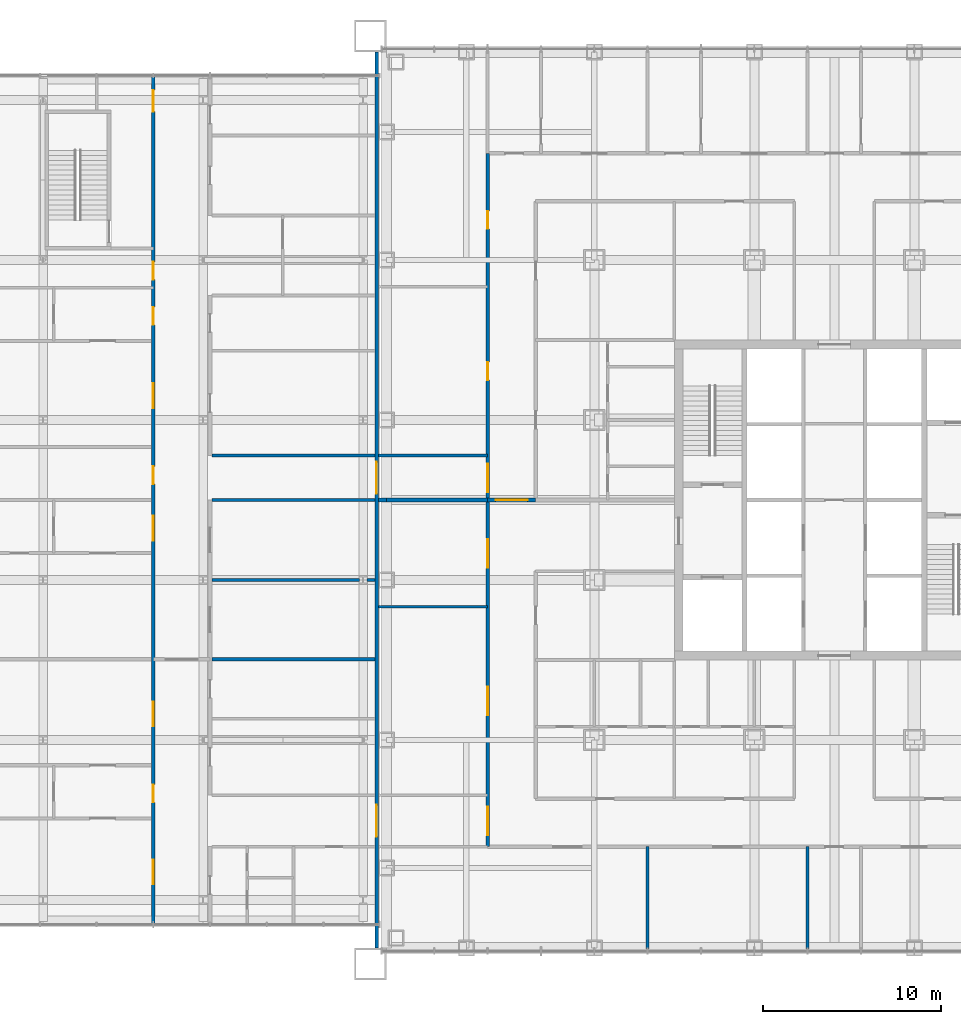
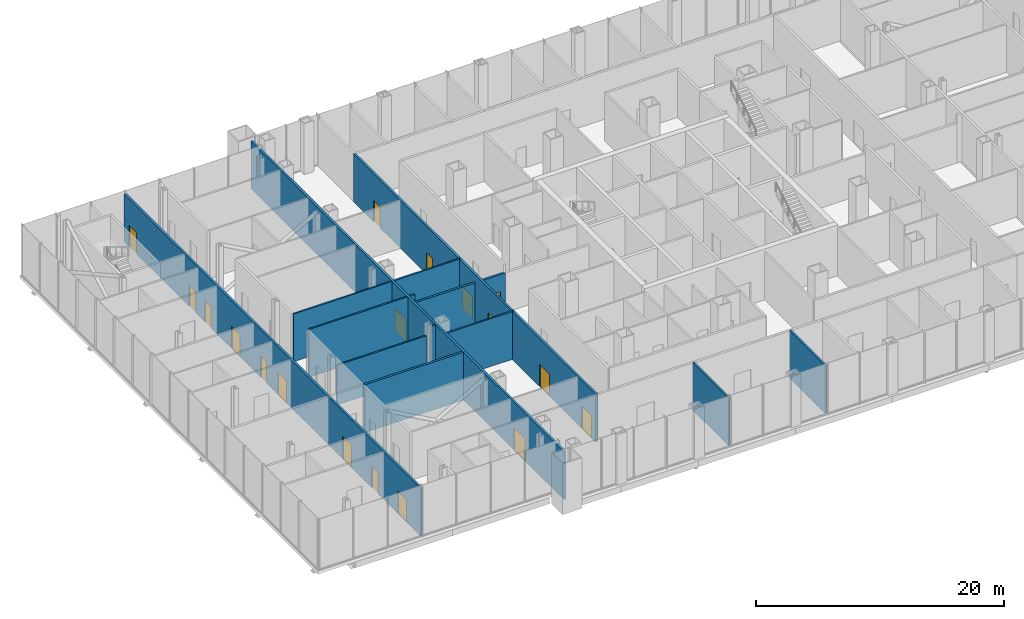
# One storey, part 13 of 25: 18 doors, 15 walls, 18 openings.
"""IFC4 building model written with IfcOpenShell, lengths in metres."""

from ifc_helpers import new_model, si_unit, direction, frame, frame_2d, origin, place, context, subcontext, project, spatial, rectangle, extrude, material, layer, layer_set, type_object, element, fill, save


model = new_model("IFC4")

# Units and contexts
model_context = context("Model", 3, precision=1e-05, world=origin(), true_north=direction((0.0, 1.0)))
body_context = subcontext(model_context, "Body", "Model", "MODEL_VIEW")
ifc_project = project(units=[si_unit("LENGTHUNIT", "METRE"), si_unit("AREAUNIT", "SQUARE_METRE"), si_unit("VOLUMEUNIT", "CUBIC_METRE"), si_unit("PLANEANGLEUNIT", "RADIAN"), si_unit("MASSUNIT", "GRAM", prefix="KILO")], contexts=[model_context])

# Site, building, storey
site_placement = place(None, origin())
site = spatial("IfcSite", under=ifc_project, at=site_placement, CompositionType="ELEMENT")
building_placement = place(site_placement, origin())
building = spatial("IfcBuilding", under=site, at=building_placement, Name="Malebo Sky Hospital", CompositionType="ELEMENT")
storey_placement = place(building_placement, frame((0.0, 0.0, 6.0)))
storey = spatial("IfcBuildingStorey", under=building, at=storey_placement, Name="L01", CompositionType="ELEMENT", Elevation=6.0)

# Wall, openings, doors
ifc_material_1 = material(Name="Gypsum board on steel studs", Category="steel")
ifc_layer_1 = layer(ifc_material_1, 0.199951171875)
ifc_layer_set_1 = layer_set([ifc_layer_1], Name="CORRIDOR WALL 200")
wall_type_1 = type_object("IfcWallType", Name="CORRIDOR WALL 200", PredefinedType="PARTITIONING", material=ifc_layer_set_1)
wall_1_placement = place(storey_placement, frame((40.5, 42.5, 0.0), z_axis=(0.0, 0.0, 1.0), x_axis=(0.0, 1.0, 0.0)))
wall_1 = element("IfcWall", 1, at=wall_1_placement, inside=storey, type_object=wall_type_1, Name="Corridor Wall 200 WCO", PredefinedType="PARTITIONING", context=body_context, shape_type="SweptSolid", body=[
    extrude(rectangle(XDim=39.0, YDim=0.199951171875, at=frame_2d((19.5, 0.0))), origin(), (0.0, 0.0, 1.0), 4.699951171875),
])
opening_1_placement = place(wall_1_placement, frame((0.64990234375, 0.0, 0.0)))
opening_1 = element("IfcOpeningElement", 2, at=opening_1_placement, cuts=wall_1, Name="Opening D14", PredefinedType="OPENING", context=body_context, shape_type="SweptSolid", body=[
    extrude(rectangle(XDim=1.60009765625, YDim=2.199951171875, at=frame_2d((0.800048828125, 1.10009765625))), frame((0.0, 0.10986328125, 0.0), z_axis=(0.0, -1.0, 0.0), x_axis=(1.0, 0.0, 0.0)), (0.0, 0.0, 1.0), 0.219970703125),
])
opening_2_placement = place(wall_1_placement, frame((7.39990234375, 0.0, 0.0)))
opening_2 = element("IfcOpeningElement", 3, at=opening_2_placement, cuts=wall_1, Name="Opening D14", PredefinedType="OPENING", context=body_context, shape_type="SweptSolid", body=[
    extrude(rectangle(XDim=1.60009765625, YDim=2.199951171875, at=frame_2d((0.800048828125, 1.10009765625))), frame((0.0, 0.10986328125, 0.0), z_axis=(0.0, -1.0, 0.0), x_axis=(1.0, 0.0, 0.0)), (0.0, 0.0, 1.0), 0.219970703125),
])
opening_3_placement = place(wall_1_placement, frame((15.699951171875, 0.0, 0.0)))
opening_3 = element("IfcOpeningElement", 4, at=opening_3_placement, cuts=wall_1, Name="Opening D14", PredefinedType="OPENING", context=body_context, shape_type="SweptSolid", body=[
    extrude(rectangle(XDim=1.60009765625, YDim=2.199951171875, at=frame_2d((0.800048828125, 1.10009765625))), frame((0.0, 0.10986328125, 0.0), z_axis=(0.0, -1.0, 0.0), x_axis=(1.0, 0.0, 0.0)), (0.0, 0.0, 1.0), 0.219970703125),
])
opening_4_placement = place(wall_1_placement, frame((19.949951171875, 0.0, 0.0)))
opening_4 = element("IfcOpeningElement", 5, at=opening_4_placement, cuts=wall_1, Name="Opening D14", PredefinedType="OPENING", context=body_context, shape_type="SweptSolid", body=[
    extrude(rectangle(XDim=1.60009765625, YDim=2.199951171875, at=frame_2d((0.800048828125, 1.10009765625))), frame((0.0, 0.10986328125, 0.0), z_axis=(0.0, -1.0, 0.0), x_axis=(1.0, 0.0, 0.0)), (0.0, 0.0, 1.0), 0.219970703125),
])
opening_5_placement = place(wall_1_placement, frame((26.25, 0.0, 0.0)))
opening_5 = element("IfcOpeningElement", 6, at=opening_5_placement, cuts=wall_1, Name="Opening D03", PredefinedType="OPENING", context=body_context, shape_type="SweptSolid", body=[
    extrude(rectangle(XDim=1.0, YDim=2.10009765625, at=frame_2d((0.5, 1.050048828125))), frame((0.0, 0.10986328125, 0.0), z_axis=(0.0, -1.0, 0.0), x_axis=(1.0, 0.0, 0.0)), (0.0, 0.0, 1.0), 0.219970703125),
])
opening_6_placement = place(wall_1_placement, frame((34.75, 0.0, 0.0)))
opening_6 = element("IfcOpeningElement", 7, at=opening_6_placement, cuts=wall_1, Name="Opening D03", PredefinedType="OPENING", context=body_context, shape_type="SweptSolid", body=[
    extrude(rectangle(XDim=1.0, YDim=2.10009765625, at=frame_2d((0.5, 1.050048828125))), frame((0.0, 0.10986328125, 0.0), z_axis=(0.0, -1.0, 0.0), x_axis=(1.0, 0.0, 0.0)), (0.0, 0.0, 1.0), 0.219970703125),
])
ifc_material_2 = material(Name="Hardwood-faced door leaf in steel frame", Category="steel")
door_type_1 = type_object("IfcDoorType", Name="DEPARTMENT DOOR PAIR 1600", OperationType="DOUBLE_DOOR_DOUBLE_SWING", PredefinedType="DOOR", material=ifc_material_2)
door_1_placement = place(opening_1_placement, origin())
door_1 = element("IfcDoor", 8, at=door_1_placement, inside=storey, type_object=door_type_1, Name="Link corridor door pair", OperationType="DOUBLE_DOOR_DOUBLE_SWING", OverallHeight=2.199951171875, OverallWidth=1.60009765625, PredefinedType="DOOR", context=body_context, shape_type="SweptSolid", body=[
    extrude(rectangle(XDim=1.60009765625, YDim=2.199951171875, at=frame_2d((0.800048828125, 1.10009765625))), frame((0.0, 0.02490234375, 0.0), z_axis=(0.0, -1.0, 0.0), x_axis=(1.0, 0.0, 0.0)), (0.0, 0.0, 1.0), 0.050048828125),
])
fill(opening_1, door_1)
door_2_placement = place(opening_2_placement, origin())
door_2 = element("IfcDoor", 9, at=door_2_placement, inside=storey, type_object=door_type_1, Name="Imaging reception door", OperationType="DOUBLE_DOOR_DOUBLE_SWING", OverallHeight=2.199951171875, OverallWidth=1.60009765625, PredefinedType="DOOR", context=body_context, shape_type="SweptSolid", body=[
    extrude(rectangle(XDim=1.60009765625, YDim=2.199951171875, at=frame_2d((0.800048828125, 1.10009765625))), frame((0.0, 0.02490234375, 0.0), z_axis=(0.0, -1.0, 0.0), x_axis=(1.0, 0.0, 0.0)), (0.0, 0.0, 1.0), 0.050048828125),
])
fill(opening_2, door_2)
door_3_placement = place(opening_3_placement, origin())
door_3 = element("IfcDoor", 10, at=door_3_placement, inside=storey, type_object=door_type_1, Name="Imaging waiting area door", OperationType="DOUBLE_DOOR_DOUBLE_SWING", OverallHeight=2.199951171875, OverallWidth=1.60009765625, PredefinedType="DOOR", context=body_context, shape_type="SweptSolid", body=[
    extrude(rectangle(XDim=1.60009765625, YDim=2.199951171875, at=frame_2d((0.800048828125, 1.10009765625))), frame((0.0, 0.02490234375, 0.0), z_axis=(0.0, -1.0, 0.0), x_axis=(1.0, 0.0, 0.0)), (0.0, 0.0, 1.0), 0.050048828125),
])
fill(opening_3, door_3)
door_4_placement = place(opening_4_placement, origin())
door_4 = element("IfcDoor", 11, at=door_4_placement, inside=storey, type_object=door_type_1, Name="Link corridor door pair", OperationType="DOUBLE_DOOR_DOUBLE_SWING", OverallHeight=2.199951171875, OverallWidth=1.60009765625, PredefinedType="DOOR", context=body_context, shape_type="SweptSolid", body=[
    extrude(rectangle(XDim=1.60009765625, YDim=2.199951171875, at=frame_2d((0.800048828125, 1.10009765625))), frame((0.0, 0.02490234375, 0.0), z_axis=(0.0, -1.0, 0.0), x_axis=(1.0, 0.0, 0.0)), (0.0, 0.0, 1.0), 0.050048828125),
])
fill(opening_4, door_4)
door_type_2 = type_object("IfcDoorType", Name="ROOM DOOR 1000", OperationType="SINGLE_SWING_LEFT", PredefinedType="DOOR", material=ifc_material_2)
door_5_placement = place(opening_5_placement, origin())
door_5 = element("IfcDoor", 12, at=door_5_placement, inside=storey, type_object=door_type_2, Name="Patient preparation room door", OperationType="SINGLE_SWING_LEFT", OverallHeight=2.10009765625, OverallWidth=1.0, PredefinedType="DOOR", context=body_context, shape_type="SweptSolid", body=[
    extrude(rectangle(XDim=1.0, YDim=2.10009765625, at=frame_2d((0.5, 1.050048828125))), frame((0.0, 0.02490234375, 0.0), z_axis=(0.0, -1.0, 0.0), x_axis=(1.0, 0.0, 0.0)), (0.0, 0.0, 1.0), 0.050048828125),
])
fill(opening_5, door_5)
door_6_placement = place(opening_6_placement, origin())
door_6 = element("IfcDoor", 13, at=door_6_placement, inside=storey, type_object=door_type_2, Name="Imaging staff rest room door", OperationType="SINGLE_SWING_RIGHT", OverallHeight=2.10009765625, OverallWidth=1.0, PredefinedType="DOOR", context=body_context, shape_type="SweptSolid", body=[
    extrude(rectangle(XDim=1.0, YDim=2.10009765625, at=frame_2d((0.5, 1.050048828125))), frame((0.0, 0.02490234375, 0.0), z_axis=(0.0, -1.0, 0.0), x_axis=(1.0, 0.0, 0.0)), (0.0, 0.0, 1.0), 0.050048828125),
])
fill(opening_6, door_6)

wall_2_placement = place(storey_placement, frame((21.693115234375, 38.14990234375, 0.0), z_axis=(0.0, 0.0, 1.0), x_axis=(0.0, 1.0, 0.0)))
wall_2 = element("IfcWall", 14, at=wall_2_placement, inside=storey, type_object=wall_type_1, Name="Corridor Wall 200 WWC1", PredefinedType="PARTITIONING", context=body_context, shape_type="SweptSolid", body=[
    extrude(rectangle(XDim=47.7001953125, YDim=0.199951171875, at=frame_2d((23.85009765625, 0.0))), origin(), (0.0, 0.0, 1.0), 4.699951171875),
])
opening_7_placement = place(wall_2_placement, frame((45.699951171875, 0.0, 0.0)))
opening_7 = element("IfcOpeningElement", 15, at=opening_7_placement, cuts=wall_2, Name="Opening D08", PredefinedType="OPENING", context=body_context, shape_type="SweptSolid", body=[
    extrude(rectangle(XDim=1.199951171875, YDim=2.10009765625, at=frame_2d((0.60009765625, 1.050048828125))), frame((0.0, 0.10986328125, 0.0), z_axis=(0.0, -1.0, 0.0), x_axis=(1.0, 0.0, 0.0)), (0.0, 0.0, 1.0), 0.219970703125),
])
opening_8_placement = place(wall_2_placement, frame((36.24365234375, 0.0, 0.0)))
opening_8 = element("IfcOpeningElement", 16, at=opening_8_placement, cuts=wall_2, Name="Opening D03", PredefinedType="OPENING", context=body_context, shape_type="SweptSolid", body=[
    extrude(rectangle(XDim=1.0, YDim=2.10009765625, at=frame_2d((0.5, 1.050048828125))), frame((0.0, 0.10986328125, 0.0), z_axis=(0.0, -1.0, 0.0), x_axis=(1.0, 0.0, 0.0)), (0.0, 0.0, 1.0), 0.219970703125),
])
opening_9_placement = place(wall_2_placement, frame((2.221923828125, 0.0, 0.0)))
opening_9 = element("IfcOpeningElement", 17, at=opening_9_placement, cuts=wall_2, Name="Opening D26", PredefinedType="OPENING", context=body_context, shape_type="SweptSolid", body=[
    extrude(rectangle(XDim=1.39990234375, YDim=2.199951171875, at=frame_2d((0.699951171875, 1.10009765625))), frame((0.0, 0.10986328125, 0.0), z_axis=(0.0, -1.0, 0.0), x_axis=(1.0, 0.0, 0.0)), (0.0, 0.0, 1.0), 0.219970703125),
])
opening_10_placement = place(wall_2_placement, frame((6.8359375, 0.0, 0.0)))
opening_10 = element("IfcOpeningElement", 18, at=opening_10_placement, cuts=wall_2, Name="Opening D03", PredefinedType="OPENING", context=body_context, shape_type="SweptSolid", body=[
    extrude(rectangle(XDim=1.0, YDim=2.10009765625, at=frame_2d((0.5, 1.050048828125))), frame((0.0, 0.10986328125, 0.0), z_axis=(0.0, -1.0, 0.0), x_axis=(1.0, 0.0, 0.0)), (0.0, 0.0, 1.0), 0.219970703125),
])
opening_11_placement = place(wall_2_placement, frame((11.112548828125, 0.0, 0.0)))
opening_11 = element("IfcOpeningElement", 19, at=opening_11_placement, cuts=wall_2, Name="Opening D26", PredefinedType="OPENING", context=body_context, shape_type="SweptSolid", body=[
    extrude(rectangle(XDim=1.39990234375, YDim=2.199951171875, at=frame_2d((0.699951171875, 1.10009765625))), frame((0.0, 0.10986328125, 0.0), z_axis=(0.0, -1.0, 0.0), x_axis=(1.0, 0.0, 0.0)), (0.0, 0.0, 1.0), 0.219970703125),
])
opening_12_placement = place(wall_2_placement, frame((21.557861328125, 0.0, 0.0)))
opening_12 = element("IfcOpeningElement", 20, at=opening_12_placement, cuts=wall_2, Name="Opening D25", PredefinedType="OPENING", context=body_context, shape_type="SweptSolid", body=[
    extrude(rectangle(XDim=1.39990234375, YDim=2.199951171875, at=frame_2d((0.699951171875, 1.10009765625))), frame((0.0, 0.10986328125, 0.0), z_axis=(0.0, -1.0, 0.0), x_axis=(1.0, 0.0, 0.0)), (0.0, 0.0, 1.0), 0.219970703125),
])
opening_13_placement = place(wall_2_placement, frame((24.7421875, 0.0, 0.0)))
opening_13 = element("IfcOpeningElement", 21, at=opening_13_placement, cuts=wall_2, Name="Opening D03", PredefinedType="OPENING", context=body_context, shape_type="SweptSolid", body=[
    extrude(rectangle(XDim=1.0, YDim=2.10009765625, at=frame_2d((0.5, 1.050048828125))), frame((0.0, 0.10986328125, 0.0), z_axis=(0.0, -1.0, 0.0), x_axis=(1.0, 0.0, 0.0)), (0.0, 0.0, 1.0), 0.219970703125),
])
opening_14_placement = place(wall_2_placement, frame((29.018798828125, 0.0, 0.0)))
opening_14 = element("IfcOpeningElement", 22, at=opening_14_placement, cuts=wall_2, Name="Opening D26", PredefinedType="OPENING", context=body_context, shape_type="SweptSolid", body=[
    extrude(rectangle(XDim=1.39990234375, YDim=2.199951171875, at=frame_2d((0.699951171875, 1.10009765625))), frame((0.0, 0.10986328125, 0.0), z_axis=(0.0, -1.0, 0.0), x_axis=(1.0, 0.0, 0.0)), (0.0, 0.0, 1.0), 0.219970703125),
])
opening_15_placement = place(wall_2_placement, frame((33.6953125, 0.0, 0.0)))
opening_15 = element("IfcOpeningElement", 23, at=opening_15_placement, cuts=wall_2, Name="Opening D03", PredefinedType="OPENING", context=body_context, shape_type="SweptSolid", body=[
    extrude(rectangle(XDim=1.0, YDim=2.10009765625, at=frame_2d((0.5, 1.050048828125))), frame((0.0, 0.10986328125, 0.0), z_axis=(0.0, -1.0, 0.0), x_axis=(1.0, 0.0, 0.0)), (0.0, 0.0, 1.0), 0.219970703125),
])
door_type_3 = type_object("IfcDoorType", Name="BED DOOR PAIR 1400", OperationType="DOUBLE_DOOR_SINGLE_SWING", PredefinedType="DOOR", material=ifc_material_2)
door_7_placement = place(opening_12_placement, origin())
door_7 = element("IfcDoor", 24, at=door_7_placement, inside=storey, type_object=door_type_3, Name="MRI anteroom door", OperationType="DOUBLE_DOOR_SINGLE_SWING", OverallHeight=2.199951171875, OverallWidth=1.39990234375, PredefinedType="DOOR", context=body_context, shape_type="SweptSolid", body=[
    extrude(rectangle(XDim=1.39990234375, YDim=2.199951171875, at=frame_2d((0.699951171875, 1.10009765625))), frame((0.0, 0.02490234375, 0.0), z_axis=(0.0, -1.0, 0.0), x_axis=(1.0, 0.0, 0.0)), (0.0, 0.0, 1.0), 0.050048828125),
])
fill(opening_12, door_7)
ifc_material_3 = material(Name="Lead-lined hardwood-faced door leaf in steel frame", Category="steel")
door_type_4 = type_object("IfcDoorType", Name="LEAD-LINED BED DOOR PAIR 1400", OperationType="DOUBLE_DOOR_SINGLE_SWING", PredefinedType="DOOR", material=ifc_material_3)
door_8_placement = place(opening_9_placement, origin())
door_8 = element("IfcDoor", 25, at=door_8_placement, inside=storey, type_object=door_type_4, Name="CT scanner room door", OperationType="DOUBLE_DOOR_SINGLE_SWING", OverallHeight=2.199951171875, OverallWidth=1.39990234375, PredefinedType="DOOR", context=body_context, shape_type="SweptSolid", body=[
    extrude(rectangle(XDim=1.39990234375, YDim=2.199951171875, at=frame_2d((0.699951171875, 1.10009765625))), frame((0.0, 0.02490234375, 0.0), z_axis=(0.0, -1.0, 0.0), x_axis=(1.0, 0.0, 0.0)), (0.0, 0.0, 1.0), 0.050048828125),
])
fill(opening_9, door_8)
door_9_placement = place(opening_11_placement, origin())
door_9 = element("IfcDoor", 26, at=door_9_placement, inside=storey, type_object=door_type_4, Name="CT scanner room door", OperationType="DOUBLE_DOOR_SINGLE_SWING", OverallHeight=2.199951171875, OverallWidth=1.39990234375, PredefinedType="DOOR", context=body_context, shape_type="SweptSolid", body=[
    extrude(rectangle(XDim=1.39990234375, YDim=2.199951171875, at=frame_2d((0.699951171875, 1.10009765625))), frame((0.0, 0.02490234375, 0.0), z_axis=(0.0, -1.0, 0.0), x_axis=(1.0, 0.0, 0.0)), (0.0, 0.0, 1.0), 0.050048828125),
])
fill(opening_11, door_9)
door_10_placement = place(opening_14_placement, origin())
door_10 = element("IfcDoor", 27, at=door_10_placement, inside=storey, type_object=door_type_4, Name="X-ray room door", OperationType="DOUBLE_DOOR_SINGLE_SWING", OverallHeight=2.199951171875, OverallWidth=1.39990234375, PredefinedType="DOOR", context=body_context, shape_type="SweptSolid", body=[
    extrude(rectangle(XDim=1.39990234375, YDim=2.199951171875, at=frame_2d((0.699951171875, 1.10009765625))), frame((0.0, 0.02490234375, 0.0), z_axis=(0.0, -1.0, 0.0), x_axis=(1.0, 0.0, 0.0)), (0.0, 0.0, 1.0), 0.050048828125),
])
fill(opening_14, door_10)
door_11_placement = place(opening_8_placement, origin())
door_11 = element("IfcDoor", 28, at=door_11_placement, inside=storey, type_object=door_type_2, Name="Imaging equipment store door", OperationType="SINGLE_SWING_LEFT", OverallHeight=2.10009765625, OverallWidth=1.0, PredefinedType="DOOR", context=body_context, shape_type="SweptSolid", body=[
    extrude(rectangle(XDim=1.0, YDim=2.10009765625, at=frame_2d((0.5, 1.050048828125))), frame((0.0, 0.02490234375, 0.0), z_axis=(0.0, -1.0, 0.0), x_axis=(1.0, 0.0, 0.0)), (0.0, 0.0, 1.0), 0.050048828125),
])
fill(opening_8, door_11)
door_12_placement = place(opening_10_placement, origin())
door_12 = element("IfcDoor", 29, at=door_12_placement, inside=storey, type_object=door_type_2, Name="CT control room door", OperationType="SINGLE_SWING_LEFT", OverallHeight=2.10009765625, OverallWidth=1.0, PredefinedType="DOOR", context=body_context, shape_type="SweptSolid", body=[
    extrude(rectangle(XDim=1.0, YDim=2.10009765625, at=frame_2d((0.5, 1.050048828125))), frame((0.0, 0.02490234375, 0.0), z_axis=(0.0, -1.0, 0.0), x_axis=(1.0, 0.0, 0.0)), (0.0, 0.0, 1.0), 0.050048828125),
])
fill(opening_10, door_12)
door_13_placement = place(opening_13_placement, origin())
door_13 = element("IfcDoor", 30, at=door_13_placement, inside=storey, type_object=door_type_2, Name="MRI equipment room door", OperationType="SINGLE_SWING_LEFT", OverallHeight=2.10009765625, OverallWidth=1.0, PredefinedType="DOOR", context=body_context, shape_type="SweptSolid", body=[
    extrude(rectangle(XDim=1.0, YDim=2.10009765625, at=frame_2d((0.5, 1.050048828125))), frame((0.0, 0.02490234375, 0.0), z_axis=(0.0, -1.0, 0.0), x_axis=(1.0, 0.0, 0.0)), (0.0, 0.0, 1.0), 0.050048828125),
])
fill(opening_13, door_13)
door_14_placement = place(opening_15_placement, origin())
door_14 = element("IfcDoor", 31, at=door_14_placement, inside=storey, type_object=door_type_2, Name="X-ray control room door", OperationType="SINGLE_SWING_LEFT", OverallHeight=2.10009765625, OverallWidth=1.0, PredefinedType="DOOR", context=body_context, shape_type="SweptSolid", body=[
    extrude(rectangle(XDim=1.0, YDim=2.10009765625, at=frame_2d((0.5, 1.050048828125))), frame((0.0, 0.02490234375, 0.0), z_axis=(0.0, -1.0, 0.0), x_axis=(1.0, 0.0, 0.0)), (0.0, 0.0, 1.0), 0.050048828125),
])
fill(opening_15, door_14)
door_type_5 = type_object("IfcDoorType", Name="STAIR DOOR 1200", OperationType="SINGLE_SWING_LEFT", PredefinedType="DOOR", material=ifc_material_2)
door_15_placement = place(opening_7_placement, origin())
door_15 = element("IfcDoor", 32, at=door_15_placement, inside=storey, type_object=door_type_5, Name="Stair lobby door", OperationType="SINGLE_SWING_RIGHT", OverallHeight=2.10009765625, OverallWidth=1.199951171875, PredefinedType="DOOR", context=body_context, shape_type="SweptSolid", body=[
    extrude(rectangle(XDim=1.199951171875, YDim=2.10009765625, at=frame_2d((0.60009765625, 1.050048828125))), frame((0.0, 0.02490234375, 0.0), z_axis=(0.0, -1.0, 0.0), x_axis=(1.0, 0.0, 0.0)), (0.0, 0.0, 1.0), 0.050048828125),
])
fill(opening_7, door_15)

ifc_material_4 = material(Name="Concrete blockwork", Category="masonry")
ifc_layer_2 = layer(ifc_material_4, 0.199951171875)
ifc_layer_set_2 = layer_set([ifc_layer_2], Name="MOVEMENT JOINT WALL 200")
wall_type_2 = type_object("IfcWallType", Name="MOVEMENT JOINT WALL 200", PredefinedType="SOLIDWALL", material=ifc_layer_set_2)
wall_3_placement = place(storey_placement, frame((34.25, 36.800048828125, 0.0), z_axis=(0.0, 0.0, 1.0), x_axis=(0.0, 1.0, 0.0)))
wall_3 = element("IfcWall", 33, at=wall_3_placement, inside=storey, type_object=wall_type_2, Name="Movement Joint Wall 200 WJ", PredefinedType="SOLIDWALL", context=body_context, shape_type="SweptSolid", body=[
    extrude(rectangle(XDim=50.39990234375, YDim=0.199951171875, at=frame_2d((25.199951171875, 0.0))), origin(), (0.0, 0.0, 1.0), 4.699951171875),
])
opening_16_placement = place(wall_3_placement, frame((6.25, 0.0, 0.0)))
opening_16 = element("IfcOpeningElement", 34, at=opening_16_placement, cuts=wall_3, Name="Opening D28", PredefinedType="OPENING", context=body_context, shape_type="SweptSolid", body=[
    extrude(rectangle(XDim=1.800048828125, YDim=2.199951171875, at=frame_2d((0.89990234375, 1.10009765625))), frame((0.0, 0.10986328125, 0.0), z_axis=(0.0, -1.0, 0.0), x_axis=(1.0, 0.0, 0.0)), (0.0, 0.0, 1.0), 0.219970703125),
])
opening_17_placement = place(wall_3_placement, frame((25.550048828125, 0.0, 0.0)))
opening_17 = element("IfcOpeningElement", 35, at=opening_17_placement, cuts=wall_3, Name="Opening D28", PredefinedType="OPENING", context=body_context, shape_type="SweptSolid", body=[
    extrude(rectangle(XDim=1.800048828125, YDim=2.199951171875, at=frame_2d((0.89990234375, 1.10009765625))), frame((0.0, 0.10986328125, 0.0), z_axis=(0.0, -1.0, 0.0), x_axis=(1.0, 0.0, 0.0)), (0.0, 0.0, 1.0), 0.219970703125),
])
door_type_6 = type_object("IfcDoorType", Name="FIRE DOOR PAIR 1800", OperationType="DOUBLE_DOOR_SINGLE_SWING", PredefinedType="DOOR", material=ifc_material_2)
door_16_placement = place(opening_16_placement, origin())
door_16 = element("IfcDoor", 36, at=door_16_placement, inside=storey, type_object=door_type_6, Name="Link fire door pair", OperationType="DOUBLE_DOOR_SINGLE_SWING", OverallHeight=2.199951171875, OverallWidth=1.800048828125, PredefinedType="DOOR", context=body_context, shape_type="SweptSolid", body=[
    extrude(rectangle(XDim=1.800048828125, YDim=2.199951171875, at=frame_2d((0.89990234375, 1.10009765625))), frame((0.0, 0.02490234375, 0.0), z_axis=(0.0, -1.0, 0.0), x_axis=(1.0, 0.0, 0.0)), (0.0, 0.0, 1.0), 0.050048828125),
])
fill(opening_16, door_16)
door_17_placement = place(opening_17_placement, origin())
door_17 = element("IfcDoor", 37, at=door_17_placement, inside=storey, type_object=door_type_6, Name="Link fire door pair", OperationType="DOUBLE_DOOR_SINGLE_SWING", OverallHeight=2.199951171875, OverallWidth=1.800048828125, PredefinedType="DOOR", context=body_context, shape_type="SweptSolid", body=[
    extrude(rectangle(XDim=1.800048828125, YDim=2.199951171875, at=frame_2d((0.89990234375, 1.10009765625))), frame((0.0, 0.02490234375, 0.0), z_axis=(0.0, -1.0, 0.0), x_axis=(1.0, 0.0, 0.0)), (0.0, 0.0, 1.0), 0.050048828125),
])
fill(opening_17, door_17)

# Walls
ifc_layer_3 = layer(ifc_material_1, 0.14990234375)
ifc_layer_set_3 = layer_set([ifc_layer_3], Name="PARTITION 150")
wall_type_3 = type_object("IfcWallType", Name="PARTITION 150", PredefinedType="PARTITIONING", material=ifc_layer_set_3)
for number, where, z_axis, x_axis, name in (
    (38, (40.5, 56.0, 0.0), (0.0, 0.0, 1.0), (-1.0, 0.0, 0.0), "Partition 150 WP-6.0"),
    (39, (40.5, 64.5, 0.0), (0.0, 0.0, 1.0), (-1.0, 0.0, 0.0), "Partition 150 WP+2.5"),
):
    element("IfcWall", number, at=place(storey_placement, frame(where, z_axis=z_axis, x_axis=x_axis)), inside=storey, type_object=wall_type_3, Name=name, PredefinedType="PARTITIONING", context=body_context, shape_type="SweptSolid", body=[
        extrude(rectangle(XDim=6.14990234375, YDim=0.14990234375, at=frame_2d((3.074951171875, 0.0))), origin(), (0.0, 0.0, 1.0), 4.699951171875),
    ])
wall_4_placement = place(storey_placement, frame((24.98193359375, 57.5, 0.0), z_axis=(0.0, 0.0, 1.0), x_axis=(1.0, 0.0, 0.0)))
element("IfcWall", 40, at=wall_4_placement, inside=storey, type_object=wall_type_3, Name="Partition 150 WIH05", PredefinedType="PARTITIONING", context=body_context, shape_type="SweptSolid", body=[
    extrude(rectangle(XDim=8.302001953125, YDim=0.14990234375, at=frame_2d((4.15087890625, 0.0))), origin(), (0.0, 0.0, 1.0), 3.89990234375),
])
wall_5_placement = place(storey_placement, frame((33.716064453125, 57.5, 0.0), z_axis=(0.0, 0.0, 1.0), x_axis=(1.0, 0.0, 0.0)))
element("IfcWall", 41, at=wall_5_placement, inside=storey, type_object=wall_type_3, Name="Partition 150 WIH05", PredefinedType="PARTITIONING", context=body_context, shape_type="SweptSolid", body=[
    extrude(rectangle(XDim=0.433837890625, YDim=0.14990234375, at=frame_2d((0.216796875, 0.0))), origin(), (0.0, 0.0, 1.0), 4.699951171875),
])
for number, where, z_axis, x_axis, name in (
    (42, (24.98193359375, 62.0, 0.0), (0.0, 0.0, 1.0), (1.0, 0.0, 0.0), "Partition 150 WIH06"),
    (43, (24.98193359375, 64.5, 0.0), (0.0, 0.0, 1.0), (1.0, 0.0, 0.0), "Partition 150 WIH07"),
):
    element("IfcWall", number, at=place(storey_placement, frame(where, z_axis=z_axis, x_axis=x_axis)), inside=storey, type_object=wall_type_3, Name=name, PredefinedType="PARTITIONING", context=body_context, shape_type="SweptSolid", body=[
        extrude(rectangle(XDim=9.16796875, YDim=0.14990234375, at=frame_2d((4.583984375, 0.0))), origin(), (0.0, 0.0, 1.0), 4.699951171875),
    ])
ifc_material_5 = material(Name="Lead-lined gypsum board on steel studs", Category="steel")
ifc_layer_4 = layer(ifc_material_5, 0.175048828125)
ifc_layer_set_4 = layer_set([ifc_layer_4], Name="SHIELDED PARTITION 175")
wall_type_4 = type_object("IfcWallType", Name="SHIELDED PARTITION 175", PredefinedType="PARTITIONING", material=ifc_layer_set_4)
for number, where, z_axis, x_axis, name in (
    (44, (58.5, 42.5, 0.0), (0.0, 0.0, 1.0), (0.0, -1.0, 0.0), "Shielded Partition 175 SP+1.5"),
    (45, (49.5, 42.5, 0.0), (0.0, 0.0, 1.0), (0.0, -1.0, 0.0), "Shielded Partition 175 SP+10.5"),
):
    element("IfcWall", number, at=place(storey_placement, frame(where, z_axis=z_axis, x_axis=x_axis)), inside=storey, type_object=wall_type_4, Name=name, PredefinedType="PARTITIONING", context=body_context, shape_type="SweptSolid", body=[
        extrude(rectangle(XDim=5.75, YDim=0.175048828125, at=frame_2d((2.875, 0.0))), origin(), (0.0, 0.0, 1.0), 4.699951171875),
    ])
ifc_layer_5 = layer(ifc_material_4, 0.199951171875)
ifc_layer_set_5 = layer_set([ifc_layer_5], Name="SMOKE BARRIER WALL 200")
wall_type_5 = type_object("IfcWallType", Name="SMOKE BARRIER WALL 200", PredefinedType="SOLIDWALL", material=ifc_layer_set_5)
wall_6_placement = place(storey_placement, frame((40.5, 62.0, 0.0), z_axis=(0.0, 0.0, 1.0), x_axis=(-1.0, 0.0, 0.0)))
element("IfcWall", 46, at=wall_6_placement, inside=storey, type_object=wall_type_5, Name="Smoke Barrier Wall 200 WP+0.0", PredefinedType="SOLIDWALL", context=body_context, shape_type="SweptSolid", body=[
    extrude(rectangle(XDim=5.699951171875, YDim=0.199951171875, at=frame_2d((2.85009765625, 0.0))), origin(), (0.0, 0.0, 1.0), 3.89990234375),
])
wall_7_placement = place(storey_placement, frame((34.800048828125, 62.0, 0.0), z_axis=(0.0, 0.0, 1.0), x_axis=(-1.0, 0.0, 0.0)))
element("IfcWall", 47, at=wall_7_placement, inside=storey, type_object=wall_type_5, Name="Smoke Barrier Wall 200 WP+0.0", PredefinedType="SOLIDWALL", context=body_context, shape_type="SweptSolid", body=[
    extrude(rectangle(XDim=0.449951171875, YDim=0.199951171875, at=frame_2d((0.22509765625, 0.0))), origin(), (0.0, 0.0, 1.0), 4.699951171875),
])

# Wall, opening, door
wall_8_placement = place(storey_placement, frame((43.199951171875, 62.0, 0.0), z_axis=(0.0, 0.0, 1.0), x_axis=(-1.0, 0.0, 0.0)))
wall_8 = element("IfcWall", 48, at=wall_8_placement, inside=storey, type_object=wall_type_5, Name="Smoke Barrier Wall 200 WSB", PredefinedType="SOLIDWALL", context=body_context, shape_type="SweptSolid", body=[
    extrude(rectangle(XDim=2.699951171875, YDim=0.199951171875, at=frame_2d((1.35009765625, 0.0))), origin(), (0.0, 0.0, 1.0), 3.89990234375),
])
opening_18_placement = place(wall_8_placement, frame((0.449951171875, 0.0, 0.0)))
opening_18 = element("IfcOpeningElement", 49, at=opening_18_placement, cuts=wall_8, Name="Opening D05", PredefinedType="OPENING", context=body_context, shape_type="SweptSolid", body=[
    extrude(rectangle(XDim=1.800048828125, YDim=2.199951171875, at=frame_2d((0.89990234375, 1.10009765625))), frame((0.0, 0.10986328125, 0.0), z_axis=(0.0, -1.0, 0.0), x_axis=(1.0, 0.0, 0.0)), (0.0, 0.0, 1.0), 0.219970703125),
])
door_type_7 = type_object("IfcDoorType", Name="SMOKE DOOR PAIR 1800", OperationType="DOUBLE_DOOR_DOUBLE_SWING", PredefinedType="DOOR", material=ifc_material_2)
door_18_placement = place(opening_18_placement, origin())
door_18 = element("IfcDoor", 50, at=door_18_placement, inside=storey, type_object=door_type_7, Name="Smoke compartment door pair", OperationType="DOUBLE_DOOR_DOUBLE_SWING", OverallHeight=2.199951171875, OverallWidth=1.800048828125, PredefinedType="DOOR", context=body_context, shape_type="SweptSolid", body=[
    extrude(rectangle(XDim=1.800048828125, YDim=2.199951171875, at=frame_2d((0.89990234375, 1.10009765625))), frame((0.0, 0.02490234375, 0.0), z_axis=(0.0, -1.0, 0.0), x_axis=(1.0, 0.0, 0.0)), (0.0, 0.0, 1.0), 0.050048828125),
])
fill(opening_18, door_18)

# Wall
wall_9_placement = place(storey_placement, frame((24.98193359375, 53.046875, 0.0), z_axis=(0.0, 0.0, 1.0), x_axis=(1.0, 0.0, 0.0)))
element("IfcWall", 51, at=wall_9_placement, inside=storey, type_object=wall_type_5, Name="Smoke Barrier Wall 200 WIH04", PredefinedType="SOLIDWALL", context=body_context, shape_type="SweptSolid", body=[
    extrude(rectangle(XDim=9.16796875, YDim=0.199951171875, at=frame_2d((4.583984375, 0.0))), origin(), (0.0, 0.0, 1.0), 4.699951171875),
])

save(model, "model.ifc")
